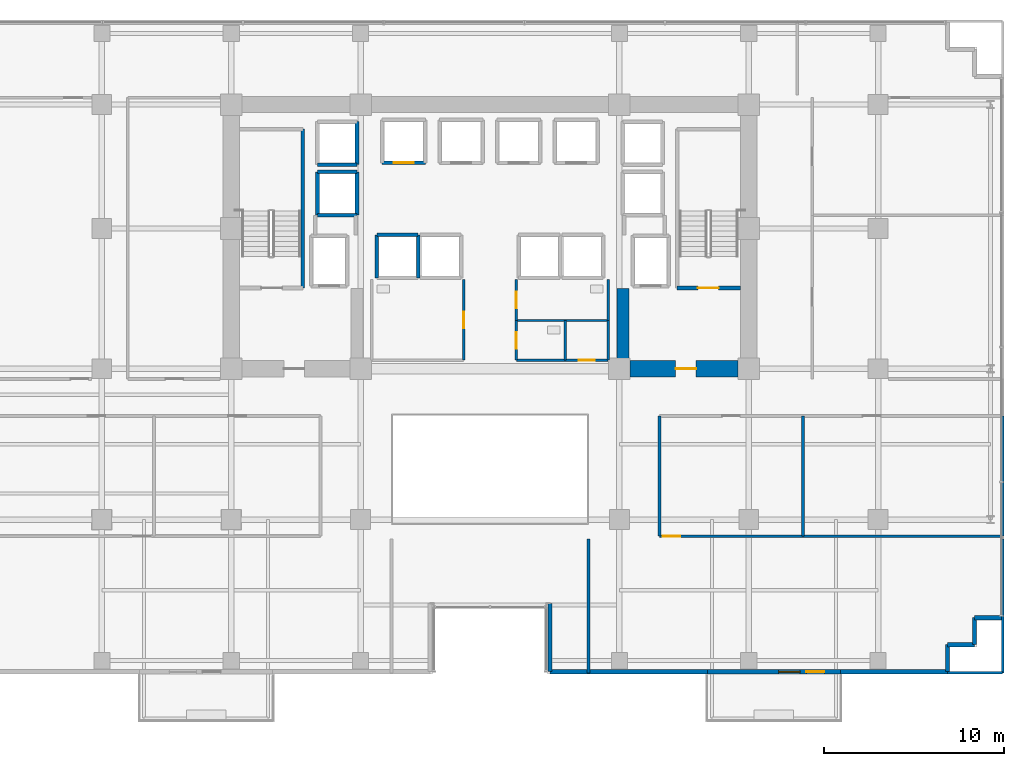
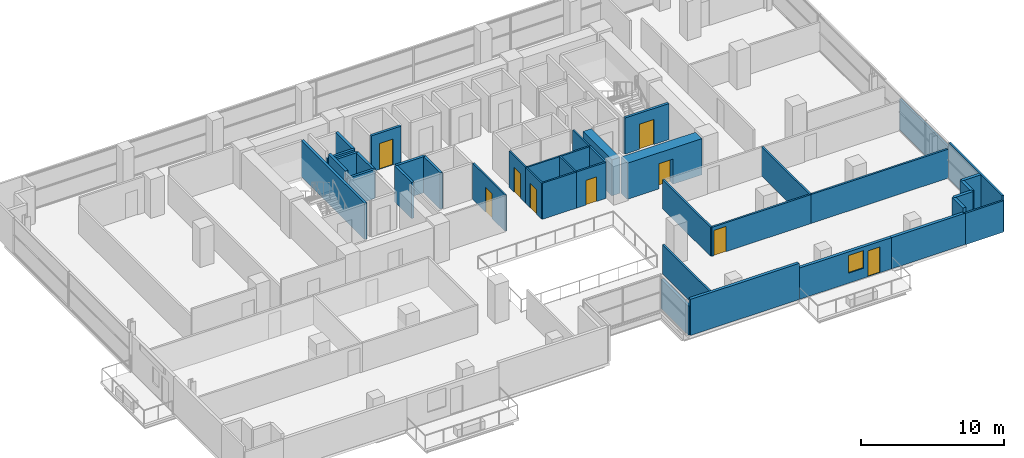
# One storey, part 24 of 30: 39 walls, 9 doors, 1 window, 10 openings.
"""IFC4 building model written with IfcOpenShell, lengths in metres."""

from ifc_helpers import new_model, si_unit, direction, frame, frame_2d, origin, place, context, subcontext, project, spatial, rectangle, extrude, source, transform, mapped, material, layer, layer_set, type_object, element, fill, save


model = new_model("IFC4")

# Units and contexts
model_context = context("Model", 3, precision=1e-05, world=origin(), true_north=direction((0.0, 1.0)))
body_context = subcontext(model_context, "Body", "Model", "MODEL_VIEW")
ifc_project = project(units=[si_unit("LENGTHUNIT", "METRE"), si_unit("AREAUNIT", "SQUARE_METRE"), si_unit("VOLUMEUNIT", "CUBIC_METRE"), si_unit("PLANEANGLEUNIT", "RADIAN"), si_unit("MASSUNIT", "GRAM", prefix="KILO")], contexts=[model_context])

# Site, building, storey
site_placement = place(None, origin())
site = spatial("IfcSite", under=ifc_project, at=site_placement, CompositionType="ELEMENT")
building_placement = place(site_placement, origin())
building = spatial("IfcBuilding", under=site, at=building_placement, Name="Zarnakvel Exchange Tower", CompositionType="ELEMENT")
storey_placement = place(building_placement, frame((0.0, 0.0, 34.0)))
storey = spatial("IfcBuildingStorey", under=building, at=storey_placement, Name="L08", CompositionType="ELEMENT", Elevation=34.0)

# Wall, opening, door
ifc_material_1 = material(Name="Concrete C80/95", Category="concrete")
ifc_layer_1 = layer(ifc_material_1, 0.89990234375)
ifc_layer_set_1 = layer_set([ifc_layer_1], Name="Concrete C80/95")
wall_type_1 = type_object("IfcWallType", Name="CW-C1", PredefinedType="SHEAR", material=ifc_layer_set_1)
wall_1_placement = place(storey_placement, frame((13.800048828125, -1.199951171875, 0.0), z_axis=(0.0, 0.0, 1.0), x_axis=(-1.0, 0.0, 0.0)))
wall_1 = element("IfcWall", 1, at=wall_1_placement, inside=storey, type_object=wall_type_1, Name="L08 Rear Core Shear Wall SE (CW-C1)", PredefinedType="SHEAR", context=body_context, shape_type="SweptSolid", body=[
    extrude(rectangle(XDim=6.0, YDim=0.89990234375, at=frame_2d((3.0, 0.0))), origin(), (0.0, 0.0, 1.0), 3.074951171875),
])
opening_1_placement = place(wall_1_placement, frame((2.324951171875, 0.0, 0.0)))
opening_1 = element("IfcOpeningElement", 2, at=opening_1_placement, cuts=wall_1, Name="Opening D-L08-04", PredefinedType="OPENING", context=body_context, shape_type="SweptSolid", body=[
    extrude(rectangle(XDim=1.14990234375, YDim=2.14990234375, at=frame_2d((0.574951171875, 1.074951171875))), frame((0.0, 0.4599609375, 0.0), z_axis=(0.0, -1.0, 0.0), x_axis=(1.0, 0.0, 0.0)), (0.0, 0.0, 1.0), 0.919921875),
])
ifc_material_2 = material(Name="Painted Galvanised Steel S355", Category="steel")
door_type_1 = type_object("IfcDoorType", Name="DT-04", OperationType="NOTDEFINED", PredefinedType="DOOR", material=ifc_material_2)
shared_shape_1 = source(origin(), body_context, "Body", "SweptSolid", [
    extrude(rectangle(XDim=1.14990234375, YDim=2.14990234375, at=frame_2d((0.574951171875, 1.074951171875))), frame((0.0, 0.02490234375, 0.0), z_axis=(0.0, -1.0, 0.0), x_axis=(1.0, 0.0, 0.0)), (0.0, 0.0, 1.0), 0.050048828125),
])
door_1_placement = place(opening_1_placement, origin())
door_1 = element("IfcDoor", 3, at=door_1_placement, inside=storey, type_object=door_type_1, Name="L08 Firefighting Lobby East Door D-L08-04", OperationType="SINGLE_SWING_RIGHT", OverallHeight=2.14990234375, OverallWidth=1.14990234375, PredefinedType="DOOR", context=body_context, shape_type="MappedRepresentation", body=[
    mapped(shared_shape_1, transform((0.0, 0.0, 0.0), x_axis=(1.0, 0.0, 0.0), y_axis=(0.0, 1.0, 0.0), z_axis=(0.0, 0.0, 1.0), scale=1.0)),
])
fill(opening_1, door_1)

# Wall
ifc_layer_2 = layer(ifc_material_1, 0.64990234375)
ifc_layer_set_2 = layer_set([ifc_layer_2], Name="Concrete C80/95")
wall_type_2 = type_object("IfcWallType", Name="CW-C2", PredefinedType="SHEAR", material=ifc_layer_set_2)
wall_2_placement = place(storey_placement, frame((7.39990234375, -0.75, 0.0), z_axis=(0.0, 0.0, 1.0), x_axis=(0.0, 1.0, 0.0)))
element("IfcWall", 4, at=wall_2_placement, inside=storey, type_object=wall_type_2, Name="L08 Rear Core Shear Wall IE (CW-C2)", PredefinedType="SHEAR", context=body_context, shape_type="SweptSolid", body=[
    extrude(rectangle(XDim=4.0, YDim=0.64990234375, at=frame_2d((2.0, 0.0))), origin(), (0.0, 0.0, 1.0), 3.074951171875),
])

# Wall, openings, door, window
ifc_material_3 = material(Name="Precast concrete C40/50", Category="concrete")
ifc_layer_3 = layer(ifc_material_3, 0.239990234375)
ifc_layer_set_3 = layer_set([ifc_layer_3], Name="Precast concrete C40/50")
wall_type_3 = type_object("IfcWallType", Name="EW-02", PredefinedType="SOLIDWALL", material=ifc_layer_set_3)
wall_3_placement = place(storey_placement, frame((19.5, -18.06005859375, 0.0), z_axis=(0.0, 0.0, 1.0), x_axis=(-1.0, 0.0, 0.0)))
wall_3 = element("IfcWall", 5, at=wall_3_placement, inside=storey, type_object=wall_type_3, Name="L08 Exterior Precast Spandrel Wall EW-BAL-L08-SE (EW-02)", PredefinedType="SOLIDWALL", context=body_context, shape_type="SweptSolid", body=[
    extrude(rectangle(XDim=7.39990234375, YDim=0.239990234375, at=frame_2d((3.699951171875, 0.0))), origin(), (0.0, 0.0, 1.0), 2.6650390625),
])
opening_2_placement = place(wall_3_placement, frame((0.887939453125, 0.0, 0.0)))
opening_2 = element("IfcOpeningElement", 6, at=opening_2_placement, cuts=wall_3, Name="Opening BD-L08-02", PredefinedType="OPENING", context=body_context, shape_type="SweptSolid", body=[
    extrude(rectangle(XDim=1.0, YDim=2.199951171875, at=frame_2d((0.5, 1.10009765625))), frame((0.0, 0.1298828125, 0.0), z_axis=(0.0, -1.0, 0.0), x_axis=(1.0, 0.0, 0.0)), (0.0, 0.0, 1.0), 0.260009765625),
])
opening_3_placement = place(wall_3_placement, frame((2.238037109375, 0.0, 0.85009765625)))
opening_3 = element("IfcOpeningElement", 7, at=opening_3_placement, cuts=wall_3, Name="Opening WN-04", PredefinedType="OPENING", context=body_context, shape_type="SweptSolid", body=[
    extrude(rectangle(XDim=1.199951171875, YDim=1.5, at=frame_2d((0.60009765625, 0.75))), frame((0.0, 0.1298828125, 0.0), z_axis=(0.0, -1.0, 0.0), x_axis=(1.0, 0.0, 0.0)), (0.0, 0.0, 1.0), 0.260009765625),
])
ifc_material_4 = material(Name="Architectural Bronze Anodised Aluminium", Category="aluminium")
door_type_2 = type_object("IfcDoorType", Name="DT-09", OperationType="NOTDEFINED", PredefinedType="DOOR", material=ifc_material_4)
shared_shape_2 = source(origin(), body_context, "Body", "SweptSolid", [
    extrude(rectangle(XDim=1.0, YDim=2.199951171875, at=frame_2d((0.5, 1.10009765625))), frame((0.0, 0.02490234375, 0.0), z_axis=(0.0, -1.0, 0.0), x_axis=(1.0, 0.0, 0.0)), (0.0, 0.0, 1.0), 0.050048828125),
])
door_2_placement = place(opening_2_placement, origin())
door_2 = element("IfcDoor", 8, at=door_2_placement, inside=storey, type_object=door_type_2, Name="L08 Planted Loggia Balcony Door BD-L08-02", OperationType="SINGLE_SWING_LEFT", OverallHeight=2.199951171875, OverallWidth=1.0, PredefinedType="DOOR", context=body_context, shape_type="MappedRepresentation", body=[
    mapped(shared_shape_2, transform((0.0, 0.0, 0.0), x_axis=(1.0, 0.0, 0.0), y_axis=(0.0, 1.0, 0.0), z_axis=(0.0, 0.0, 1.0), scale=1.0)),
])
fill(opening_2, door_2)
ifc_material_5 = material(Name="Double Low-E Laminated Vision Glass", Category="glass")
window_type = type_object("IfcWindowType", Name="WN-04", PartitioningType="SINGLE_PANEL", PredefinedType="WINDOW", material=ifc_material_5)
shared_shape_3 = source(origin(), body_context, "Body", "SweptSolid", [
    extrude(rectangle(XDim=1.199951171875, YDim=1.5, at=frame_2d((0.60009765625, 0.75))), frame((0.0, 0.030029296875, 0.0), z_axis=(0.0, -1.0, 0.0), x_axis=(1.0, 0.0, 0.0)), (0.0, 0.0, 1.0), 0.06005859375),
])
window_placement = place(opening_3_placement, origin())
window = element("IfcWindow", 9, at=window_placement, inside=storey, type_object=window_type, Name="L08 Loggia Daylight Window (WN-04)", OverallHeight=1.5, OverallWidth=1.199951171875, PartitioningType="SINGLE_PANEL", PredefinedType="WINDOW", context=body_context, shape_type="MappedRepresentation", body=[
    mapped(shared_shape_3, transform((0.0, 0.0, 0.0), x_axis=(1.0, 0.0, 0.0), y_axis=(0.0, 1.0, 0.0), z_axis=(0.0, 0.0, 1.0), scale=1.0)),
])
fill(opening_3, window)

# Walls
for number, where, z_axis, x_axis, name in (
    (10, (26.9599609375, -15.06005859375, 0.0), (0.0, 0.0, 1.0), (1.0, 0.0, 0.0), "L08 Exterior Precast Spandrel Wall EWC-L08-11 (EW-02)"),
    (11, (26.9599609375, -16.56005859375, 0.0), (0.0, 0.0, 1.0), (0.0, 1.0, 0.0), "L08 Exterior Precast Spandrel Wall EWC-L08-12 (EW-02)"),
    (12, (25.4599609375, -16.56005859375, 0.0), (0.0, 0.0, 1.0), (1.0, 0.0, 0.0), "L08 Exterior Precast Spandrel Wall EWC-L08-13 (EW-02)"),
    (13, (25.4599609375, -18.06005859375, 0.0), (0.0, 0.0, 1.0), (0.0, 1.0, 0.0), "L08 Exterior Precast Spandrel Wall EWC-L08-14 (EW-02)"),
):
    element("IfcWall", number, at=place(storey_placement, frame(where, z_axis=z_axis, x_axis=x_axis)), inside=storey, type_object=wall_type_3, Name=name, PredefinedType="SOLIDWALL", context=body_context, shape_type="SweptSolid", body=[
        extrude(rectangle(XDim=1.5, YDim=0.239990234375, at=frame_2d((0.75, 0.0))), origin(), (0.0, 0.0, 1.0), 3.074951171875),
    ])
wall_4_placement = place(storey_placement, frame((19.5, -18.06005859375, 0.0), z_axis=(0.0, 0.0, 1.0), x_axis=(1.0, 0.0, 0.0)))
element("IfcWall", 14, at=wall_4_placement, inside=storey, type_object=wall_type_3, Name="L08 Exterior Precast Spandrel Wall EWC-L08-15 (EW-02)", PredefinedType="SOLIDWALL", context=body_context, shape_type="SweptSolid", body=[
    extrude(rectangle(XDim=5.9599609375, YDim=0.239990234375, at=frame_2d((2.97998046875, 0.0))), origin(), (0.0, 0.0, 1.0), 2.6650390625),
])
wall_5_placement = place(storey_placement, frame((3.340087890625, -18.06005859375, 0.0), z_axis=(0.0, 0.0, 1.0), x_axis=(1.0, 0.0, 0.0)))
element("IfcWall", 15, at=wall_5_placement, inside=storey, type_object=wall_type_3, Name="L08 Exterior Precast Spandrel Wall EWC-L08-16 (EW-02)", PredefinedType="SOLIDWALL", context=body_context, shape_type="SweptSolid", body=[
    extrude(rectangle(XDim=8.760009765625, YDim=0.239990234375, at=frame_2d((4.3798828125, 0.0))), origin(), (0.0, 0.0, 1.0), 3.074951171875),
])
wall_6_placement = place(storey_placement, frame((3.340087890625, -14.260009765625, 0.0), z_axis=(0.0, 0.0, 1.0), x_axis=(0.0, -1.0, 0.0)))
element("IfcWall", 16, at=wall_6_placement, inside=storey, type_object=wall_type_3, Name="L08 Exterior Precast Spandrel Wall EWC-L08-17 (EW-02)", PredefinedType="SOLIDWALL", context=body_context, shape_type="SweptSolid", body=[
    extrude(rectangle(XDim=3.800048828125, YDim=0.239990234375, at=frame_2d((1.89990234375, 0.0))), origin(), (0.0, 0.0, 1.0), 2.465087890625),
])

# Wall, opening, door
ifc_material_6 = material(Name="Fire-Rated Gypsum Stud Partition", Category="gypsum")
ifc_layer_4 = layer(ifc_material_6, 0.14990234375)
ifc_layer_set_4 = layer_set([ifc_layer_4], Name="Fire-Rated Gypsum Stud Partition")
wall_type_4 = type_object("IfcWallType", Name="PT-01", PredefinedType="PARTITIONING", material=ifc_layer_set_4)
wall_7_placement = place(storey_placement, frame((6.580078125, -0.72998046875, 0.0), z_axis=(0.0, 0.0, 1.0), x_axis=(-1.0, 0.0, 0.0)))
wall_7 = element("IfcWall", 17, at=wall_7_placement, inside=storey, type_object=wall_type_4, Name="L08 Partition Wall PWALL-L08-020 (PT-01)", PredefinedType="PARTITIONING", context=body_context, shape_type="SweptSolid", body=[
    extrude(rectangle(XDim=2.400146484375, YDim=0.14990234375, at=frame_2d((1.2001953125, 0.0))), origin(), (0.0, 0.0, 1.0), 3.074951171875),
])
opening_4_placement = place(wall_7_placement, frame((0.760009765625, 0.0, 0.0)))
opening_4 = element("IfcOpeningElement", 18, at=opening_4_placement, cuts=wall_7, Name="Opening D-L08-08", PredefinedType="OPENING", context=body_context, shape_type="SweptSolid", body=[
    extrude(rectangle(XDim=0.8798828125, YDim=2.10009765625, at=frame_2d((0.43994140625, 1.050048828125))), frame((0.0, 0.0849609375, 0.0), z_axis=(0.0, -1.0, 0.0), x_axis=(1.0, 0.0, 0.0)), (0.0, 0.0, 1.0), 0.169921875),
])
door_type_3 = type_object("IfcDoorType", Name="DT-08", OperationType="NOTDEFINED", PredefinedType="DOOR", material=ifc_material_2)
shared_shape_4 = source(origin(), body_context, "Body", "SweptSolid", [
    extrude(rectangle(XDim=0.8798828125, YDim=2.10009765625, at=frame_2d((0.43994140625, 1.050048828125))), frame((0.0, 0.02490234375, 0.0), z_axis=(0.0, -1.0, 0.0), x_axis=(1.0, 0.0, 0.0)), (0.0, 0.0, 1.0), 0.050048828125),
])
door_3_placement = place(opening_4_placement, origin())
door_3 = element("IfcDoor", 19, at=door_3_placement, inside=storey, type_object=door_type_3, Name="L08 Cleaners Store Door D-L08-08", OperationType="SINGLE_SWING_RIGHT", OverallHeight=2.10009765625, OverallWidth=0.8798828125, PredefinedType="DOOR", context=body_context, shape_type="MappedRepresentation", body=[
    mapped(shared_shape_4, transform((0.0, 0.0, 0.0), x_axis=(1.0, 0.0, 0.0), y_axis=(0.0, 1.0, 0.0), z_axis=(0.0, 0.0, 1.0), scale=1.0)),
])
fill(opening_4, door_3)

# Wall
wall_8_placement = place(storey_placement, frame((6.580078125, 1.47998046875, 0.0), z_axis=(0.0, 0.0, 1.0), x_axis=(0.0, -1.0, 0.0)))
element("IfcWall", 20, at=wall_8_placement, inside=storey, type_object=wall_type_4, Name="L08 Partition Wall PWALL-L08-021 (PT-01)", PredefinedType="PARTITIONING", context=body_context, shape_type="SweptSolid", body=[
    extrude(rectangle(XDim=2.2099609375, YDim=0.14990234375, at=frame_2d((1.10498046875, 0.0))), origin(), (0.0, 0.0, 1.0), 3.074951171875),
])

# Wall, opening, door
wall_9_placement = place(storey_placement, frame((17.4150390625, -10.52001953125, 0.0), z_axis=(0.0, 0.0, 1.0), x_axis=(-1.0, 0.0, 0.0)))
wall_9 = element("IfcWall", 21, at=wall_9_placement, inside=storey, type_object=wall_type_4, Name="L08 Partition Wall PWALL-L08-032 (PT-01)", PredefinedType="PARTITIONING", context=body_context, shape_type="SweptSolid", body=[
    extrude(rectangle(XDim=7.985107421875, YDim=0.14990234375, at=frame_2d((3.99267578125, 0.0))), origin(), (0.0, 0.0, 1.0), 2.465087890625),
])
opening_5_placement = place(wall_9_placement, frame((6.824951171875, 0.0, 0.0)))
opening_5 = element("IfcOpeningElement", 22, at=opening_5_placement, cuts=wall_9, Name="Opening D-L08-14", PredefinedType="OPENING", context=body_context, shape_type="SweptSolid", body=[
    extrude(rectangle(XDim=0.97998046875, YDim=2.14990234375, at=frame_2d((0.489990234375, 1.074951171875))), frame((0.0, 0.0849609375, 0.0), z_axis=(0.0, -1.0, 0.0), x_axis=(1.0, 0.0, 0.0)), (0.0, 0.0, 1.0), 0.169921875),
])
ifc_material_7 = material(Name="Timber Acoustic Veneer", Category="wood")
door_type_4 = type_object("IfcDoorType", Name="DT-05", OperationType="NOTDEFINED", PredefinedType="DOOR", material=ifc_material_7)
shared_shape_5 = source(origin(), body_context, "Body", "SweptSolid", [
    extrude(rectangle(XDim=0.97998046875, YDim=2.14990234375, at=frame_2d((0.489990234375, 1.074951171875))), frame((0.0, 0.02490234375, 0.0), z_axis=(0.0, -1.0, 0.0), x_axis=(1.0, 0.0, 0.0)), (0.0, 0.0, 1.0), 0.050048828125),
])
door_4_placement = place(opening_5_placement, origin())
door_4 = element("IfcDoor", 23, at=door_4_placement, inside=storey, type_object=door_type_4, Name="L08 Clearing Office Door D-L08-14", OperationType="SINGLE_SWING_RIGHT", OverallHeight=2.14990234375, OverallWidth=0.97998046875, PredefinedType="DOOR", context=body_context, shape_type="MappedRepresentation", body=[
    mapped(shared_shape_5, transform((0.0, 0.0, 0.0), x_axis=(1.0, 0.0, 0.0), y_axis=(0.0, 1.0, 0.0), z_axis=(0.0, 0.0, 1.0), scale=1.0)),
])
fill(opening_5, door_4)

# Walls
for number, where, z_axis, x_axis, name in (
    (24, (9.429931640625, -10.52001953125, 0.0), (0.0, 0.0, 1.0), (0.0, 1.0, 0.0), "L08 Partition Wall PWALL-L08-034 (PT-01)"),
    (25, (17.4150390625, -3.830078125, 0.0), (0.0, 0.0, 1.0), (0.0, -1.0, 0.0), "L08 Partition Wall PWALL-L08-035 (PT-01)"),
):
    element("IfcWall", number, at=place(storey_placement, frame(where, z_axis=z_axis, x_axis=x_axis)), inside=storey, type_object=wall_type_4, Name=name, PredefinedType="PARTITIONING", context=body_context, shape_type="SweptSolid", body=[
        extrude(rectangle(XDim=6.68994140625, YDim=0.14990234375, at=frame_2d((3.344970703125, 0.0))), origin(), (0.0, 0.0, 1.0), 2.465087890625),
    ])
wall_10_placement = place(storey_placement, frame((28.530029296875, -10.52001953125, 0.0), z_axis=(0.0, 0.0, 1.0), x_axis=(-1.0, 0.0, 0.0)))
element("IfcWall", 26, at=wall_10_placement, inside=storey, type_object=wall_type_4, Name="L08 Partition Wall PWALL-L08-036 (PT-01)", PredefinedType="PARTITIONING", context=body_context, shape_type="SweptSolid", body=[
    extrude(rectangle(XDim=11.114990234375, YDim=0.14990234375, at=frame_2d((5.5576171875, 0.0))), origin(), (0.0, 0.0, 1.0), 2.465087890625),
])
wall_11_placement = place(storey_placement, frame((28.530029296875, -3.830078125, 0.0), z_axis=(0.0, 0.0, 1.0), x_axis=(0.0, -1.0, 0.0)))
element("IfcWall", 27, at=wall_11_placement, inside=storey, type_object=wall_type_4, Name="L08 Partition Wall PWALL-L08-038 (PT-01)", PredefinedType="PARTITIONING", context=body_context, shape_type="SweptSolid", body=[
    extrude(rectangle(XDim=6.68994140625, YDim=0.14990234375, at=frame_2d((3.344970703125, 0.0))), origin(), (0.0, 0.0, 1.0), 2.6650390625),
])
wall_12_placement = place(storey_placement, frame((28.530029296875, -18.1298828125, 0.0), z_axis=(0.0, 0.0, 1.0), x_axis=(-1.0, 0.0, 0.0)))
element("IfcWall", 28, at=wall_12_placement, inside=storey, type_object=wall_type_4, Name="L08 Partition Wall PWALL-L08-039 (PT-01)", PredefinedType="PARTITIONING", context=body_context, shape_type="SweptSolid", body=[
    extrude(rectangle(XDim=3.070068359375, YDim=0.14990234375, at=frame_2d((1.53515625, 0.0))), origin(), (0.0, 0.0, 1.0), 2.6650390625),
])
wall_13_placement = place(storey_placement, frame((5.47998046875, -18.1298828125, 0.0), z_axis=(0.0, 0.0, 1.0), x_axis=(0.0, 1.0, 0.0)))
element("IfcWall", 29, at=wall_13_placement, inside=storey, type_object=wall_type_4, Name="L08 Partition Wall PWALL-L08-040 (PT-01)", PredefinedType="PARTITIONING", context=body_context, shape_type="SweptSolid", body=[
    extrude(rectangle(XDim=7.449951171875, YDim=0.14990234375, at=frame_2d((3.72509765625, 0.0))), origin(), (0.0, 0.0, 1.0), 2.465087890625),
])
wall_14_placement = place(storey_placement, frame((28.530029296875, -10.679931640625, 0.0), z_axis=(0.0, 0.0, 1.0), x_axis=(0.0, -1.0, 0.0)))
element("IfcWall", 30, at=wall_14_placement, inside=storey, type_object=wall_type_4, Name="L08 Partition Wall PWALL-L08-041 (PT-01)", PredefinedType="PARTITIONING", context=body_context, shape_type="SweptSolid", body=[
    extrude(rectangle(XDim=7.449951171875, YDim=0.14990234375, at=frame_2d((3.72509765625, 0.0))), origin(), (0.0, 0.0, 1.0), 3.074951171875),
])

# Wall, opening, door
ifc_material_8 = material(Name="Moisture-Resistant Tile-Faced Partition", Category="gypsum")
ifc_layer_5 = layer(ifc_material_8, 0.135009765625)
ifc_layer_set_5 = layer_set([ifc_layer_5], Name="Moisture-Resistant Tile-Faced Partition")
wall_type_5 = type_object("IfcWallType", Name="PT-03", PredefinedType="PARTITIONING", material=ifc_layer_set_5)
wall_15_placement = place(storey_placement, frame((-1.469970703125, 3.760009765625, 0.0), z_axis=(0.0, 0.0, 1.0), x_axis=(0.0, -1.0, 0.0)))
wall_15 = element("IfcWall", 31, at=wall_15_placement, inside=storey, type_object=wall_type_5, Name="L08 Partition Wall PWALL-L08-013 (PT-03)", PredefinedType="PARTITIONING", context=body_context, shape_type="SweptSolid", body=[
    extrude(rectangle(XDim=4.489990234375, YDim=0.135009765625, at=frame_2d((2.2451171875, 0.0))), origin(), (0.0, 0.0, 1.0), 3.074951171875),
])
opening_6_placement = place(wall_15_placement, frame((1.800048828125, 0.0, 0.0)))
opening_6 = element("IfcOpeningElement", 32, at=opening_6_placement, cuts=wall_15, Name="Opening D-L08-05", PredefinedType="OPENING", context=body_context, shape_type="SweptSolid", body=[
    extrude(rectangle(XDim=0.919921875, YDim=2.10009765625, at=frame_2d((0.4599609375, 1.050048828125))), frame((0.0, 0.077392578125, 0.0), z_axis=(0.0, -1.0, 0.0), x_axis=(1.0, 0.0, 0.0)), (0.0, 0.0, 1.0), 0.155029296875),
])
ifc_material_9 = material(Name="Moisture-Resistant Laminate Timber", Category="wood")
door_type_5 = type_object("IfcDoorType", Name="DT-07", OperationType="NOTDEFINED", PredefinedType="DOOR", material=ifc_material_9)
shared_shape_6 = source(origin(), body_context, "Body", "SweptSolid", [
    extrude(rectangle(XDim=0.919921875, YDim=2.10009765625, at=frame_2d((0.4599609375, 1.050048828125))), frame((0.0, 0.02490234375, 0.0), z_axis=(0.0, -1.0, 0.0), x_axis=(1.0, 0.0, 0.0)), (0.0, 0.0, 1.0), 0.050048828125),
])
door_5_placement = place(opening_6_placement, origin())
door_5 = element("IfcDoor", 33, at=door_5_placement, inside=storey, type_object=door_type_5, Name="L08 Male Toilet Door D-L08-05", OperationType="SINGLE_SWING_LEFT", OverallHeight=2.10009765625, OverallWidth=0.919921875, PredefinedType="DOOR", context=body_context, shape_type="MappedRepresentation", body=[
    mapped(shared_shape_6, transform((0.0, 0.0, 0.0), x_axis=(1.0, 0.0, 0.0), y_axis=(0.0, 1.0, 0.0), z_axis=(0.0, 0.0, 1.0), scale=1.0)),
])
fill(opening_6, door_5)

# Wall
wall_16_placement = place(storey_placement, frame((6.580078125, 1.47998046875, 0.0), z_axis=(0.0, 0.0, 1.0), x_axis=(-1.0, 0.0, 0.0)))
element("IfcWall", 34, at=wall_16_placement, inside=storey, type_object=wall_type_5, Name="L08 Partition Wall PWALL-L08-014 (PT-03)", PredefinedType="PARTITIONING", context=body_context, shape_type="SweptSolid", body=[
    extrude(rectangle(XDim=5.110107421875, YDim=0.135009765625, at=frame_2d((2.55517578125, 0.0))), origin(), (0.0, 0.0, 1.0), 3.074951171875),
])

# Wall, opening, door
wall_17_placement = place(storey_placement, frame((1.469970703125, 1.47998046875, 0.0), z_axis=(0.0, 0.0, 1.0), x_axis=(0.0, 1.0, 0.0)))
wall_17 = element("IfcWall", 35, at=wall_17_placement, inside=storey, type_object=wall_type_5, Name="L08 Partition Wall PWALL-L08-015 (PT-03)", PredefinedType="PARTITIONING", context=body_context, shape_type="SweptSolid", body=[
    extrude(rectangle(XDim=2.280029296875, YDim=0.135009765625, at=frame_2d((1.14013671875, 0.0))), origin(), (0.0, 0.0, 1.0), 3.074951171875),
])
opening_7_placement = place(wall_17_placement, frame((0.679931640625, 0.0, 0.0)))
opening_7 = element("IfcOpeningElement", 36, at=opening_7_placement, cuts=wall_17, Name="Opening D-L08-06", PredefinedType="OPENING", context=body_context, shape_type="SweptSolid", body=[
    extrude(rectangle(XDim=0.919921875, YDim=2.10009765625, at=frame_2d((0.4599609375, 1.050048828125))), frame((0.0, 0.077392578125, 0.0), z_axis=(0.0, -1.0, 0.0), x_axis=(1.0, 0.0, 0.0)), (0.0, 0.0, 1.0), 0.155029296875),
])
door_6_placement = place(opening_7_placement, origin())
door_6 = element("IfcDoor", 37, at=door_6_placement, inside=storey, type_object=door_type_5, Name="L08 Female Toilet Door D-L08-06", OperationType="SINGLE_SWING_RIGHT", OverallHeight=2.10009765625, OverallWidth=0.919921875, PredefinedType="DOOR", context=body_context, shape_type="MappedRepresentation", body=[
    mapped(shared_shape_6, transform((0.0, 0.0, 0.0), x_axis=(1.0, 0.0, 0.0), y_axis=(0.0, 1.0, 0.0), z_axis=(0.0, 0.0, 1.0), scale=1.0)),
])
fill(opening_7, door_6)

# Walls
wall_18_placement = place(storey_placement, frame((6.580078125, 3.760009765625, 0.0), z_axis=(0.0, 0.0, 1.0), x_axis=(0.0, -1.0, 0.0)))
element("IfcWall", 38, at=wall_18_placement, inside=storey, type_object=wall_type_5, Name="L08 Partition Wall PWALL-L08-016 (PT-03)", PredefinedType="PARTITIONING", context=body_context, shape_type="SweptSolid", body=[
    extrude(rectangle(XDim=2.280029296875, YDim=0.135009765625, at=frame_2d((1.14013671875, 0.0))), origin(), (0.0, 0.0, 1.0), 3.074951171875),
])
wall_19_placement = place(storey_placement, frame((4.179931640625, -0.72998046875, 0.0), z_axis=(0.0, 0.0, 1.0), x_axis=(-1.0, 0.0, 0.0)))
element("IfcWall", 39, at=wall_19_placement, inside=storey, type_object=wall_type_5, Name="L08 Partition Wall PWALL-L08-017 (PT-03)", PredefinedType="PARTITIONING", context=body_context, shape_type="SweptSolid", body=[
    extrude(rectangle(XDim=2.7099609375, YDim=0.135009765625, at=frame_2d((1.35498046875, 0.0))), origin(), (0.0, 0.0, 1.0), 3.074951171875),
])

# Wall, opening, door
wall_20_placement = place(storey_placement, frame((1.469970703125, -0.72998046875, 0.0), z_axis=(0.0, 0.0, 1.0), x_axis=(0.0, 1.0, 0.0)))
wall_20 = element("IfcWall", 40, at=wall_20_placement, inside=storey, type_object=wall_type_5, Name="L08 Partition Wall PWALL-L08-018 (PT-03)", PredefinedType="PARTITIONING", context=body_context, shape_type="SweptSolid", body=[
    extrude(rectangle(XDim=2.2099609375, YDim=0.135009765625, at=frame_2d((1.10498046875, 0.0))), origin(), (0.0, 0.0, 1.0), 3.074951171875),
])
opening_8_placement = place(wall_20_placement, frame((0.64990234375, 0.0, 0.0)))
opening_8 = element("IfcOpeningElement", 41, at=opening_8_placement, cuts=wall_20, Name="Opening D-L08-07", PredefinedType="OPENING", context=body_context, shape_type="SweptSolid", body=[
    extrude(rectangle(XDim=0.919921875, YDim=2.10009765625, at=frame_2d((0.4599609375, 1.050048828125))), frame((0.0, 0.077392578125, 0.0), z_axis=(0.0, -1.0, 0.0), x_axis=(1.0, 0.0, 0.0)), (0.0, 0.0, 1.0), 0.155029296875),
])
door_7_placement = place(opening_8_placement, origin())
door_7 = element("IfcDoor", 42, at=door_7_placement, inside=storey, type_object=door_type_5, Name="L08 Accessible Toilet Door D-L08-07", OperationType="SINGLE_SWING_LEFT", OverallHeight=2.10009765625, OverallWidth=0.919921875, PredefinedType="DOOR", context=body_context, shape_type="MappedRepresentation", body=[
    mapped(shared_shape_6, transform((0.0, 0.0, 0.0), x_axis=(1.0, 0.0, 0.0), y_axis=(0.0, 1.0, 0.0), z_axis=(0.0, 0.0, 1.0), scale=1.0)),
])
fill(opening_8, door_7)

# Wall
wall_21_placement = place(storey_placement, frame((4.179931640625, 1.47998046875, 0.0), z_axis=(0.0, 0.0, 1.0), x_axis=(0.0, -1.0, 0.0)))
element("IfcWall", 43, at=wall_21_placement, inside=storey, type_object=wall_type_5, Name="L08 Partition Wall PWALL-L08-019 (PT-03)", PredefinedType="PARTITIONING", context=body_context, shape_type="SweptSolid", body=[
    extrude(rectangle(XDim=2.2099609375, YDim=0.135009765625, at=frame_2d((1.10498046875, 0.0))), origin(), (0.0, 0.0, 1.0), 3.074951171875),
])

# Wall, opening, door
ifc_material_10 = material(Name="Concrete C40/50", Category="concrete")
ifc_layer_6 = layer(ifc_material_10, 0.199951171875)
ifc_layer_set_6 = layer_set([ifc_layer_6], Name="Concrete C40/50")
wall_type_6 = type_object("IfcWallType", Name="SW-01", PredefinedType="SOLIDWALL", material=ifc_layer_set_6)
wall_22_placement = place(storey_placement, frame((-3.60009765625, 10.25, 0.0), z_axis=(0.0, 0.0, 1.0), x_axis=(-1.0, 0.0, 0.0)))
wall_22 = element("IfcWall", 44, at=wall_22_placement, inside=storey, type_object=wall_type_6, Name="L08 PL-01 Hoistway Wall South", PredefinedType="SOLIDWALL", context=body_context, shape_type="SweptSolid", body=[
    extrude(rectangle(XDim=2.39990234375, YDim=0.199951171875, at=frame_2d((1.199951171875, 0.0))), origin(), (0.0, 0.0, 1.0), 3.074951171875),
])
opening_9_placement = place(wall_22_placement, frame((0.64990234375, 0.0, 0.0)))
opening_9 = element("IfcOpeningElement", 45, at=opening_9_placement, cuts=wall_22, Name="Opening LD-PL-01-L08", PredefinedType="OPENING", context=body_context, shape_type="SweptSolid", body=[
    extrude(rectangle(XDim=1.10009765625, YDim=2.199951171875, at=frame_2d((0.550048828125, 1.10009765625))), frame((0.0, 0.10986328125, 0.0), z_axis=(0.0, -1.0, 0.0), x_axis=(1.0, 0.0, 0.0)), (0.0, 0.0, 1.0), 0.219970703125),
])
door_type_6 = type_object("IfcDoorType", Name="LDT-02", OperationType="NOTDEFINED", PredefinedType="DOOR", material=ifc_material_4)
shared_shape_7 = source(origin(), body_context, "Body", "SweptSolid", [
    extrude(rectangle(XDim=1.10009765625, YDim=2.199951171875, at=frame_2d((0.550048828125, 1.10009765625))), frame((0.0, 0.02490234375, 0.0), z_axis=(0.0, -1.0, 0.0), x_axis=(1.0, 0.0, 0.0)), (0.0, 0.0, 1.0), 0.050048828125),
])
door_8_placement = place(opening_9_placement, origin())
door_8 = element("IfcDoor", 46, at=door_8_placement, inside=storey, type_object=door_type_6, Name="L08 PL-01 Lift Landing Door LD-PL-01-L08", OperationType="DOUBLE_DOOR_SLIDING", OverallHeight=2.199951171875, OverallWidth=1.10009765625, PredefinedType="DOOR", context=body_context, shape_type="MappedRepresentation", body=[
    mapped(shared_shape_7, transform((0.0, 0.0, 0.0), x_axis=(1.0, 0.0, 0.0), y_axis=(0.0, 1.0, 0.0), z_axis=(0.0, 0.0, 1.0), scale=1.0)),
])
fill(opening_9, door_8)

# Walls
wall_23_placement = place(storey_placement, frame((-6.300048828125, 6.25, 0.0), z_axis=(0.0, 0.0, 1.0), x_axis=(1.0, 0.0, 0.0)))
element("IfcWall", 47, at=wall_23_placement, inside=storey, type_object=wall_type_6, Name="L08 PL-05 Hoistway Wall North", PredefinedType="SOLIDWALL", context=body_context, shape_type="SweptSolid", body=[
    extrude(rectangle(XDim=2.300048828125, YDim=0.199951171875, at=frame_2d((1.14990234375, 0.0))), origin(), (0.0, 0.0, 1.0), 3.074951171875),
])
for number, where, z_axis, x_axis, name in (
    (48, (-6.300048828125, 3.85009765625, 0.0), (0.0, 0.0, 1.0), (0.0, 1.0, 0.0), "L08 PL-05 Hoistway Wall West"),
    (49, (-4.0, 6.25, 0.0), (0.0, 0.0, 1.0), (0.0, -1.0, 0.0), "L08 PL-05 Hoistway Wall East"),
):
    element("IfcWall", number, at=place(storey_placement, frame(where, z_axis=z_axis, x_axis=x_axis)), inside=storey, type_object=wall_type_6, Name=name, PredefinedType="SOLIDWALL", context=body_context, shape_type="SweptSolid", body=[
        extrude(rectangle(XDim=2.39990234375, YDim=0.199951171875, at=frame_2d((1.199951171875, 0.0))), origin(), (0.0, 0.0, 1.0), 3.074951171875),
    ])
for number, where, z_axis, x_axis, name in (
    (50, (-7.39990234375, 7.35009765625, 0.0), (0.0, 0.0, 1.0), (-1.0, 0.0, 0.0), "L08 PL-09 Hoistway Wall South"),
    (51, (-9.60009765625, 9.75, 0.0), (0.0, 0.0, 1.0), (1.0, 0.0, 0.0), "L08 PL-09 Hoistway Wall North"),
):
    element("IfcWall", number, at=place(storey_placement, frame(where, z_axis=z_axis, x_axis=x_axis)), inside=storey, type_object=wall_type_6, Name=name, PredefinedType="SOLIDWALL", context=body_context, shape_type="SweptSolid", body=[
        extrude(rectangle(XDim=2.2001953125, YDim=0.199951171875, at=frame_2d((1.10009765625, 0.0))), origin(), (0.0, 0.0, 1.0), 2.465087890625),
    ])
wall_24_placement = place(storey_placement, frame((-9.60009765625, 7.35009765625, 0.0), z_axis=(0.0, 0.0, 1.0), x_axis=(0.0, 1.0, 0.0)))
element("IfcWall", 52, at=wall_24_placement, inside=storey, type_object=wall_type_6, Name="L08 PL-09 Hoistway Wall West", PredefinedType="SOLIDWALL", context=body_context, shape_type="SweptSolid", body=[
    extrude(rectangle(XDim=2.39990234375, YDim=0.199951171875, at=frame_2d((1.199951171875, 0.0))), origin(), (0.0, 0.0, 1.0), 3.074951171875),
])
wall_25_placement = place(storey_placement, frame((-7.39990234375, 9.75, 0.0), z_axis=(0.0, 0.0, 1.0), x_axis=(0.0, -1.0, 0.0)))
element("IfcWall", 53, at=wall_25_placement, inside=storey, type_object=wall_type_6, Name="L08 PL-09 Hoistway Wall East", PredefinedType="SOLIDWALL", context=body_context, shape_type="SweptSolid", body=[
    extrude(rectangle(XDim=2.39990234375, YDim=0.199951171875, at=frame_2d((1.199951171875, 0.0))), origin(), (0.0, 0.0, 1.0), 2.465087890625),
])
wall_26_placement = place(storey_placement, frame((-7.39990234375, 10.14990234375, 0.0), z_axis=(0.0, 0.0, 1.0), x_axis=(-1.0, 0.0, 0.0)))
element("IfcWall", 54, at=wall_26_placement, inside=storey, type_object=wall_type_6, Name="L08 PL-10 Hoistway Wall South", PredefinedType="SOLIDWALL", context=body_context, shape_type="SweptSolid", body=[
    extrude(rectangle(XDim=2.2001953125, YDim=0.199951171875, at=frame_2d((1.10009765625, 0.0))), origin(), (0.0, 0.0, 1.0), 2.465087890625),
])
wall_27_placement = place(storey_placement, frame((-7.39990234375, 12.550048828125, 0.0), z_axis=(0.0, 0.0, 1.0), x_axis=(0.0, -1.0, 0.0)))
element("IfcWall", 55, at=wall_27_placement, inside=storey, type_object=wall_type_6, Name="L08 PL-10 Hoistway Wall East", PredefinedType="SOLIDWALL", context=body_context, shape_type="SweptSolid", body=[
    extrude(rectangle(XDim=2.400146484375, YDim=0.199951171875, at=frame_2d((1.2001953125, 0.0))), origin(), (0.0, 0.0, 1.0), 2.465087890625),
])
ifc_layer_7 = layer(ifc_material_10, 0.199951171875)
ifc_layer_set_7 = layer_set([ifc_layer_7], Name="Concrete C40/50")
wall_type_7 = type_object("IfcWallType", Name="SW-02", PredefinedType="SOLIDWALL", material=ifc_layer_set_7)
wall_28_placement = place(storey_placement, frame((-10.409912109375, 12.1298828125, 0.0), z_axis=(0.0, 0.0, 1.0), x_axis=(0.0, -1.0, 0.0)))
element("IfcWall", 56, at=wall_28_placement, inside=storey, type_object=wall_type_7, Name="L08 Stairwell Core Wall PWALL-L08-003 (SW-02)", PredefinedType="SOLIDWALL", context=body_context, shape_type="SweptSolid", body=[
    extrude(rectangle(XDim=8.83984375, YDim=0.199951171875, at=frame_2d((4.419921875, 0.0))), origin(), (0.0, 0.0, 1.0), 3.074951171875),
])

# Wall, opening, door
wall_29_placement = place(storey_placement, frame((13.929931640625, 3.2900390625, 0.0), z_axis=(0.0, 0.0, 1.0), x_axis=(-1.0, 0.0, 0.0)))
wall_29 = element("IfcWall", 57, at=wall_29_placement, inside=storey, type_object=wall_type_7, Name="L08 Stairwell Core Wall PWALL-L08-004 (SW-02)", PredefinedType="SOLIDWALL", context=body_context, shape_type="SweptSolid", body=[
    extrude(rectangle(XDim=3.52001953125, YDim=0.199951171875, at=frame_2d((1.760009765625, 0.0))), origin(), (0.0, 0.0, 1.0), 3.074951171875),
])
opening_10_placement = place(wall_29_placement, frame((1.205078125, 0.0, 0.0)))
opening_10 = element("IfcOpeningElement", 58, at=opening_10_placement, cuts=wall_29, Name="Opening D-L08-02", PredefinedType="OPENING", context=body_context, shape_type="SweptSolid", body=[
    extrude(rectangle(XDim=1.14990234375, YDim=2.14990234375, at=frame_2d((0.574951171875, 1.074951171875))), frame((0.0, 0.10986328125, 0.0), z_axis=(0.0, -1.0, 0.0), x_axis=(1.0, 0.0, 0.0)), (0.0, 0.0, 1.0), 0.219970703125),
])
door_9_placement = place(opening_10_placement, origin())
door_9 = element("IfcDoor", 59, at=door_9_placement, inside=storey, type_object=door_type_1, Name="L08 Stairwell ST-02 Door D-L08-02", OperationType="SINGLE_SWING_RIGHT", OverallHeight=2.14990234375, OverallWidth=1.14990234375, PredefinedType="DOOR", context=body_context, shape_type="MappedRepresentation", body=[
    mapped(shared_shape_1, transform((0.0, 0.0, 0.0), x_axis=(1.0, 0.0, 0.0), y_axis=(0.0, 1.0, 0.0), z_axis=(0.0, 0.0, 1.0), scale=1.0)),
])
fill(opening_10, door_9)

save(model, "model.ifc")
